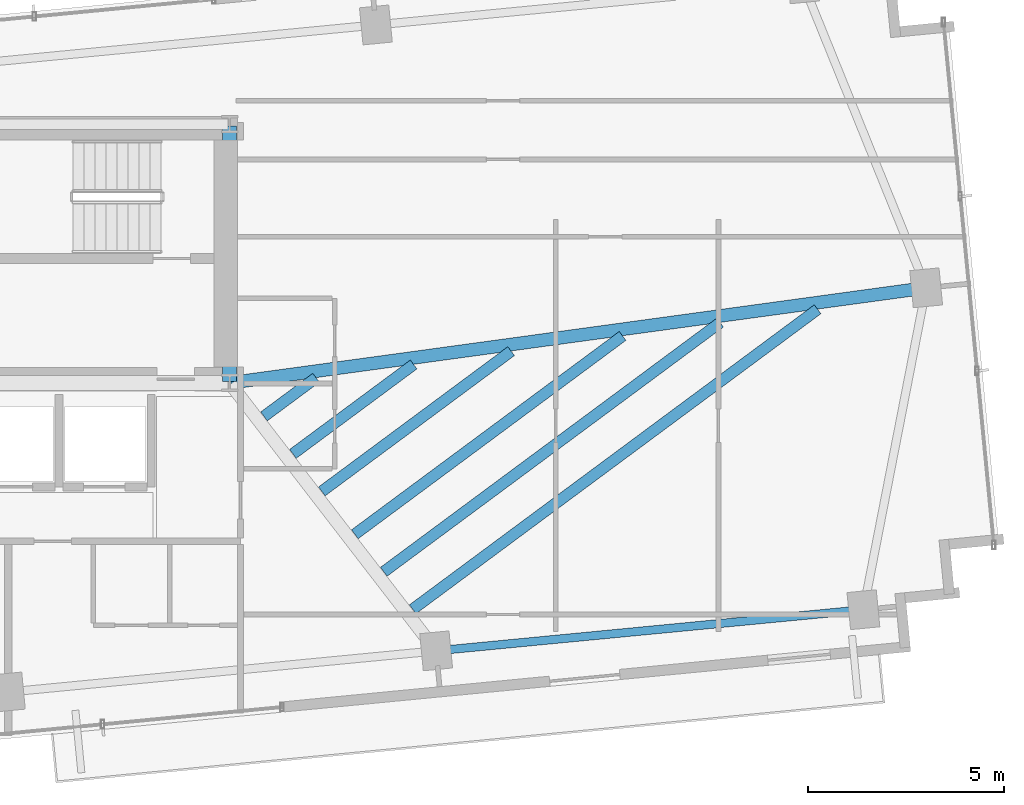
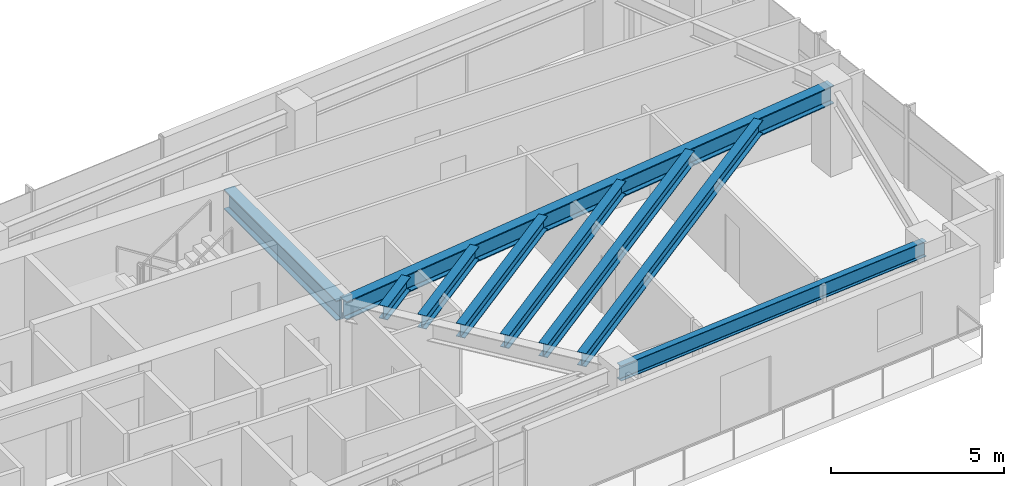
# One storey, part 9 of 18: 9 beams.
"""IFC4 building model written with IfcOpenShell, lengths in metres."""

from ifc_helpers import new_model, si_unit, direction, frame, origin, origin_2d, place, context, subcontext, project, spatial, i_section, extrude, source, transform, mapped, material, material_profile, profile_set, type_object, type_shapes, element, save


model = new_model("IFC4")

# Units and contexts
model_context = context("Model", 3, precision=1e-05, world=origin(), true_north=direction((0.0, 1.0)))
body_context = subcontext(model_context, "Body", "Model", "MODEL_VIEW")
ifc_project = project(units=[si_unit("LENGTHUNIT", "METRE"), si_unit("AREAUNIT", "SQUARE_METRE"), si_unit("VOLUMEUNIT", "CUBIC_METRE"), si_unit("PLANEANGLEUNIT", "RADIAN"), si_unit("MASSUNIT", "GRAM", prefix="KILO")], contexts=[model_context])

# Site, building, storey
site_placement = place(None, origin())
site = spatial("IfcSite", under=ifc_project, at=site_placement, CompositionType="ELEMENT")
building_placement = place(site_placement, origin())
building = spatial("IfcBuilding", under=site, at=building_placement, Name="Astriad Promenade Condominiums", CompositionType="ELEMENT")
storey_placement = place(building_placement, frame((0.0, 0.0, 201.800048828125)))
storey = spatial("IfcBuildingStorey", under=building, at=storey_placement, Name="L58", CompositionType="ELEMENT", Elevation=201.800048828125)

# Beams
ifc_material = material(Name="Steel ASTM A992 Grade 50", Category="steel")
ifc_material_profile_1 = material_profile(ifc_material, i_section(OverallWidth=0.35791015625, OverallDepth=0.706298828125, WebThickness=0.018310546875, FlangeThickness=0.0302734375, FilletRadius=0.020263671875, at=origin_2d()), Name="W27X178")
ifc_profile_set_1 = profile_set([ifc_material_profile_1], Name="Steel ASTM A992 Grade 50")
beam_type_1 = type_object("IfcBeamType", Name="STEEL FLOOR GIRDER W27X178", PredefinedType="BEAM", material=ifc_profile_set_1)
shared_shape_1 = source(origin(), body_context, "Body", "SweptSolid", [
    extrude(i_section(OverallWidth=0.35791015625, OverallDepth=0.706298828125, WebThickness=0.018310546875, FlangeThickness=0.0302734375, FilletRadius=0.020263671875, at=origin_2d()), origin(), (0.0, 0.0, 1.0), 6.52001953125),
])
type_shapes(beam_type_1, [shared_shape_1])
beam_1_placement = place(storey_placement, frame((45.60009765625, 17.43994140625, 2.586669921875), z_axis=(0.0, 1.0, 0.0), x_axis=(-1.0, 0.0, 0.0)))
element("IfcBeam", 1, at=beam_1_placement, inside=storey, type_object=beam_type_1, Name="Core Ring Beam CG-E1-L58", PredefinedType="BEAM", context=body_context, shape_type="MappedRepresentation", body=[
    mapped(shared_shape_1, transform((0.0, 0.0, 0.0), scale=1.0)),
])
ifc_material_profile_2 = material_profile(ifc_material, i_section(OverallWidth=0.210693359375, OverallDepth=0.53955078125, WebThickness=0.01171875, FlangeThickness=0.018798828125, FilletRadius=0.0166015625, at=origin_2d()), Name="W21X73")
ifc_profile_set_2 = profile_set([ifc_material_profile_2], Name="Steel ASTM A992 Grade 50")
beam_type_2 = type_object("IfcBeamType", Name="STEEL SPANDREL BEAM W21X73", PredefinedType="SPANDREL", material=ifc_profile_set_2)
shared_shape_2 = source(origin(), body_context, "Body", "SweptSolid", [
    extrude(i_section(OverallWidth=0.210693359375, OverallDepth=0.53955078125, WebThickness=0.01171875, FlangeThickness=0.018798828125, FilletRadius=0.0166015625, at=origin_2d()), origin(), (0.0, 0.0, 1.0), 10.869873046875),
])
type_shapes(beam_type_2, [shared_shape_2])
beam_2_placement = place(storey_placement, frame((50.908203125, 10.5703125, 2.670166015625), z_axis=(0.995396922692, 0.095838229819, 0.0), x_axis=(-0.095838229819, 0.995396922692, 0.0)))
element("IfcBeam", 2, at=beam_2_placement, inside=storey, type_object=beam_type_2, Name="Perimeter Spandrel Beam SP-S4-L58", PredefinedType="SPANDREL", context=body_context, shape_type="MappedRepresentation", body=[
    mapped(shared_shape_2, transform((0.0, 0.0, 0.0), scale=1.0)),
])
ifc_material_profile_3 = material_profile(ifc_material, i_section(OverallWidth=0.327392578125, OverallDepth=0.640625, WebThickness=0.01904296875, FlangeThickness=0.033935546875, FilletRadius=0.017822265625, at=origin_2d()), Name="W24X176")
ifc_profile_set_3 = profile_set([ifc_material_profile_3], Name="Steel ASTM A992 Grade 50")
beam_type_3 = type_object("IfcBeamType", Name="STEEL FLOOR GIRDER W24X176", PredefinedType="BEAM", material=ifc_profile_set_3)
shared_shape_3 = source(origin(), body_context, "Body", "SweptSolid", [
    extrude(i_section(OverallWidth=0.327392578125, OverallDepth=0.640625, WebThickness=0.01904296875, FlangeThickness=0.033935546875, FilletRadius=0.017822265625, at=origin_2d()), origin(), (0.0, 0.0, 1.0), 17.853271484375),
])
type_shapes(beam_type_3, [shared_shape_3])
beam_3_placement = place(storey_placement, frame((63.32861328125, 19.82177734375, 2.61962890625), z_axis=(-0.990799186345, -0.135340209612, 0.0), x_axis=(0.135340209612, -0.990799186345, 0.0)))
element("IfcBeam", 3, at=beam_3_placement, inside=storey, type_object=beam_type_3, Name="Primary Floor Girder PG-EM-L58", PredefinedType="BEAM", context=body_context, shape_type="MappedRepresentation", body=[
    mapped(shared_shape_3, transform((0.0, 0.0, 0.0), scale=1.0)),
])
ifc_material_profile_4 = material_profile(ifc_material, i_section(OverallWidth=0.283203125, OverallDepth=0.47216796875, WebThickness=0.013671875, FlangeThickness=0.022216796875, FilletRadius=0.01513671875, at=origin_2d()), Name="W18X97")
ifc_profile_set_4 = profile_set([ifc_material_profile_4], Name="Steel ASTM A992 Grade 50")
beam_type_4 = type_object("IfcBeamType", Name="STEEL FLOOR JOIST W18X97", PredefinedType="JOIST", material=ifc_profile_set_4)
shared_shape_4 = source(origin(), body_context, "Body", "SweptSolid", [
    extrude(i_section(OverallWidth=0.283203125, OverallDepth=0.47216796875, WebThickness=0.013671875, FlangeThickness=0.022216796875, FilletRadius=0.01513671875, at=origin_2d()), origin(), (0.0, 0.0, 1.0), 12.85498046875),
])
beam_4_placement = place(storey_placement, frame((50.27001953125, 11.626220703125, 2.703857421875), z_axis=(0.803505042716, 0.595297947526, 0.0), x_axis=(-0.595297947526, 0.803505042716, 0.0)))
element("IfcBeam", 4, at=beam_4_placement, inside=storey, type_object=beam_type_4, Name="Secondary Composite Floor Joist JE1-1-L58", PredefinedType="JOIST", context=body_context, shape_type="MappedRepresentation", body=[
    mapped(shared_shape_4, transform((0.0, 0.0, 0.0), scale=1.0)),
])
shared_shape_5 = source(origin(), body_context, "Body", "SweptSolid", [
    extrude(i_section(OverallWidth=0.283203125, OverallDepth=0.47216796875, WebThickness=0.013671875, FlangeThickness=0.022216796875, FilletRadius=0.01513671875, at=origin_2d()), origin(), (0.0, 0.0, 1.0), 10.677001953125),
])
beam_5_placement = place(storey_placement, frame((49.532470703125, 12.5830078125, 2.703857421875), z_axis=(0.803509393025, 0.595292075641, 0.0), x_axis=(-0.595292075641, 0.803509393025, 0.0)))
element("IfcBeam", 5, at=beam_5_placement, inside=storey, type_object=beam_type_4, Name="Secondary Composite Floor Joist JE1-2-L58", PredefinedType="JOIST", context=body_context, shape_type="MappedRepresentation", body=[
    mapped(shared_shape_5, transform((0.0, 0.0, 0.0), scale=1.0)),
])
shared_shape_6 = source(origin(), body_context, "Body", "SweptSolid", [
    extrude(i_section(OverallWidth=0.283203125, OverallDepth=0.47216796875, WebThickness=0.013671875, FlangeThickness=0.022216796875, FilletRadius=0.01513671875, at=origin_2d()), origin(), (0.0, 0.0, 1.0), 8.4990234375),
])
beam_6_placement = place(storey_placement, frame((48.794921875, 13.539794921875, 2.703857421875), z_axis=(0.803515972929, 0.595283194159, 0.0), x_axis=(-0.595283194159, 0.803515972929, 0.0)))
element("IfcBeam", 6, at=beam_6_placement, inside=storey, type_object=beam_type_4, Name="Secondary Composite Floor Joist JE1-3-L58", PredefinedType="JOIST", context=body_context, shape_type="MappedRepresentation", body=[
    mapped(shared_shape_6, transform((0.0, 0.0, 0.0), scale=1.0)),
])
shared_shape_7 = source(origin(), body_context, "Body", "SweptSolid", [
    extrude(i_section(OverallWidth=0.283203125, OverallDepth=0.47216796875, WebThickness=0.013671875, FlangeThickness=0.022216796875, FilletRadius=0.01513671875, at=origin_2d()), origin(), (0.0, 0.0, 1.0), 6.01025390625),
])
beam_7_placement = place(storey_placement, frame((47.951904296875, 14.633056640625, 2.703857421875), z_axis=(0.803510418138, 0.595290691968, 0.0), x_axis=(-0.595290691968, 0.803510418138, 0.0)))
element("IfcBeam", 7, at=beam_7_placement, inside=storey, type_object=beam_type_4, Name="Secondary Composite Floor Joist JE1-4-L58", PredefinedType="JOIST", context=body_context, shape_type="MappedRepresentation", body=[
    mapped(shared_shape_7, transform((0.0, 0.0, 0.0), scale=1.0)),
])
shared_shape_8 = source(origin(), body_context, "Body", "SweptSolid", [
    extrude(i_section(OverallWidth=0.283203125, OverallDepth=0.47216796875, WebThickness=0.013671875, FlangeThickness=0.022216796875, FilletRadius=0.01513671875, at=origin_2d()), origin(), (0.0, 0.0, 1.0), 3.832275390625),
])
beam_8_placement = place(storey_placement, frame((47.21435546875, 15.58984375, 2.703857421875), z_axis=(0.803525593062, 0.59527020864, 0.0), x_axis=(-0.59527020864, 0.803525593062, 0.0)))
element("IfcBeam", 8, at=beam_8_placement, inside=storey, type_object=beam_type_4, Name="Secondary Composite Floor Joist JE1-5-L58", PredefinedType="JOIST", context=body_context, shape_type="MappedRepresentation", body=[
    mapped(shared_shape_8, transform((0.0, 0.0, 0.0), scale=1.0)),
])
shared_shape_9 = source(origin(), body_context, "Body", "SweptSolid", [
    extrude(i_section(OverallWidth=0.283203125, OverallDepth=0.47216796875, WebThickness=0.013671875, FlangeThickness=0.022216796875, FilletRadius=0.01513671875, at=origin_2d()), origin(), (0.0, 0.0, 1.0), 1.654541015625),
])
type_shapes(beam_type_4, [shared_shape_4, shared_shape_5, shared_shape_6, shared_shape_7, shared_shape_8, shared_shape_9])
beam_9_placement = place(storey_placement, frame((46.476806640625, 16.54638671875, 2.703857421875), z_axis=(0.803510136239, 0.595291072468, 0.0), x_axis=(-0.595291072468, 0.803510136239, 0.0)))
element("IfcBeam", 9, at=beam_9_placement, inside=storey, type_object=beam_type_4, Name="Secondary Composite Floor Joist JE1-6-L58", PredefinedType="JOIST", context=body_context, shape_type="MappedRepresentation", body=[
    mapped(shared_shape_9, transform((0.0, 0.0, 0.0), scale=1.0)),
])

save(model, "model.ifc")
